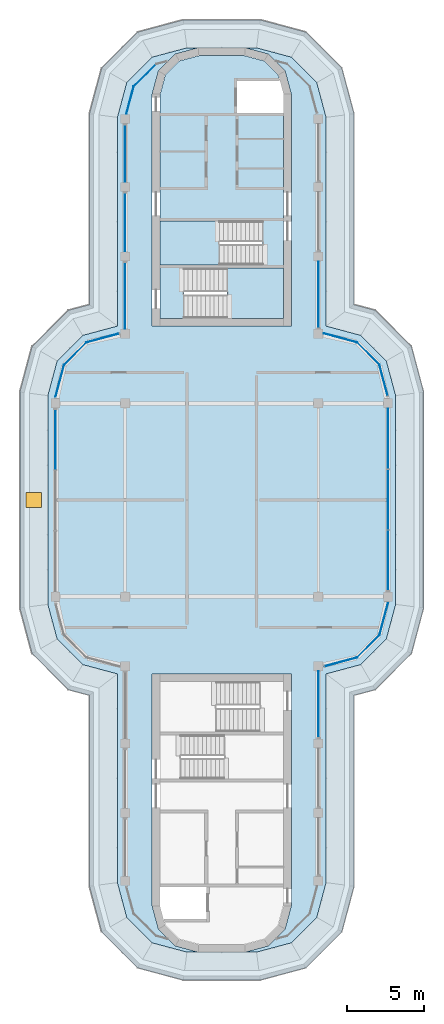
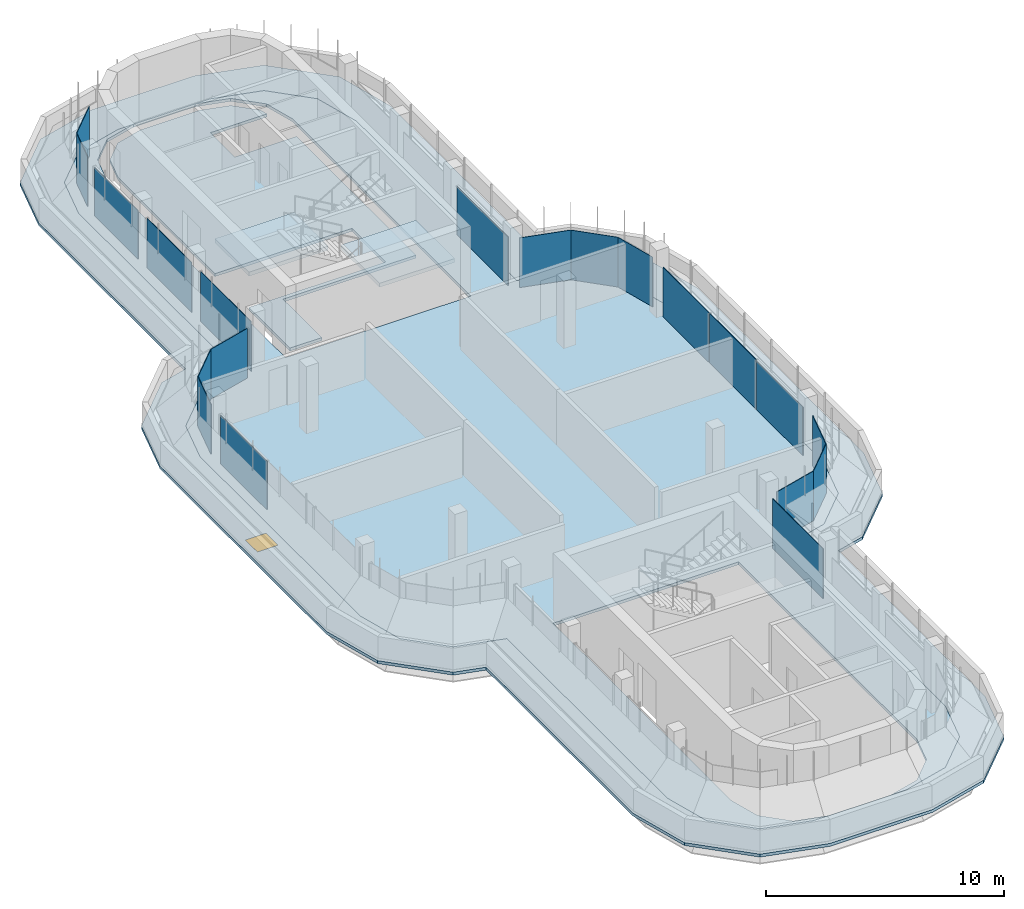
# One storey, part 6 of 13: 20 plates, 5 slabs, 1 window, 1 opening, 18 elements without a shape of their own.
"""IFC4 building model written with IfcOpenShell, lengths in metres."""

from ifc_helpers import new_model, si_unit, direction, frame, origin, origin_2d, place, context, subcontext, project, spatial, polyline, rectangle, outline, extrude, source, transform, mapped, material, layer, layer_set, type_object, element, fill, aggregate, save


model = new_model("IFC4")

# Units and contexts
model_context = context("Model", 3, precision=1e-05, world=origin(), true_north=direction((0.0, 1.0)))
body_context = subcontext(model_context, "Body", "Model", "MODEL_VIEW")
ifc_project = project(units=[si_unit("LENGTHUNIT", "METRE"), si_unit("AREAUNIT", "SQUARE_METRE"), si_unit("VOLUMEUNIT", "CUBIC_METRE"), si_unit("PLANEANGLEUNIT", "RADIAN"), si_unit("MASSUNIT", "GRAM", prefix="KILO")], contexts=[model_context])

# Site, building, storey
site_placement = place(None, origin())
site = spatial("IfcSite", under=ifc_project, at=site_placement, CompositionType="ELEMENT")
building_placement = place(site_placement, origin())
building = spatial("IfcBuilding", under=site, at=building_placement, Name="Zarbagh Exchange Tower", CompositionType="ELEMENT")
storey_placement = place(building_placement, frame((0.0, 0.0, 302.39990234375)))
storey = spatial("IfcBuildingStorey", under=building, at=storey_placement, Name="L74", CompositionType="ELEMENT", Elevation=302.39990234375)

# Slabs
ifc_material_1 = material(Name="Concrete C40/50", Category="concrete")
ifc_layer_1 = layer(ifc_material_1, 0.14990234375)
ifc_layer_set_1 = layer_set([ifc_layer_1], Name="Composite floor slab 150 C40/50")
slab_type_1 = type_object("IfcSlabType", Name="Composite floor slab 150 C40/50", PredefinedType="FLOOR", material=ifc_layer_set_1)
slab_1_placement = place(storey_placement, frame((0.0, 0.0, -0.14990234375)))
element("IfcSlab", 1, at=slab_1_placement, inside=storey, type_object=slab_type_1, Name="S5 composite floor slab", PredefinedType="FLOOR", context=body_context, shape_type="SweptSolid", body=[
    extrude(outline(polyline([(1.5, -29.25), (3.0, -28.84814453125), (4.09814453125, -27.75), (4.5, -26.25), (4.5, -11.25), (-4.5, -11.25), (-4.5, -26.25), (-4.09814453125, -27.75), (-3.0, -28.84814453125), (-1.5, -29.25), (-2.25, -29.25), (-4.5, -28.647216796875), (-6.147216796875, -27.0), (-6.75, -24.75), (-6.75, -11.25), (-9.0, -10.647216796875), (-10.647216796875, -9.0), (-11.25, -6.75), (-11.25, 6.75), (-10.647216796875, 9.0), (-9.0, 10.647216796875), (-6.75, 11.25), (-6.75, 24.75), (-6.147216796875, 27.0), (-4.5, 28.647216796875), (-2.25, 29.25), (-1.5, 29.25), (-3.0, 28.84814453125), (-4.09814453125, 27.75), (-4.5, 26.25), (-4.5, 11.25), (4.5, 11.25), (4.5, 26.25), (4.09814453125, 27.75), (3.0, 28.84814453125), (1.5, 29.25), (2.25, 29.25), (4.5, 28.647216796875), (6.147216796875, 27.0), (6.75, 24.75), (6.75, 11.25), (9.0, 10.647216796875), (10.647216796875, 9.0), (11.25, 6.75), (11.25, -6.75), (10.647216796875, -9.0), (9.0, -10.647216796875), (6.75, -11.25), (6.75, -24.75), (6.147216796875, -27.0), (4.5, -28.647216796875), (2.25, -29.25), (1.5, -29.25)])), origin(), (0.0, 0.0, 1.0), 0.14990234375),
])
ifc_layer_2 = layer(ifc_material_1, 0.14990234375)
ifc_layer_set_2 = layer_set([ifc_layer_2], Name="Core floor slab 150 C40/50")
slab_type_2 = type_object("IfcSlabType", Name="Core floor slab 150 C40/50", PredefinedType="FLOOR", material=ifc_layer_set_2)
slab_2_placement = place(storey_placement, frame((0.0, 0.0, -0.14990234375)))
element("IfcSlab", 2, at=slab_2_placement, inside=storey, type_object=slab_type_2, Name="S17 core N", PredefinedType="FLOOR", context=body_context, shape_type="SweptSolid", body=[
    extrude(outline(polyline([(-4.0, 11.75), (-4.0, 15.199951171875), (2.64990234375, 15.199951171875), (2.64990234375, 18.050048828125), (-4.0, 18.050048828125), (-4.0, 26.18408203125), (-3.64990234375, 27.4912109375), (-2.7412109375, 28.39990234375), (-1.43408203125, 28.75), (1.43408203125, 28.75), (2.7412109375, 28.39990234375), (3.64990234375, 27.4912109375), (3.857666015625, 26.715087890625), (3.754638671875, 27.10009765625), (1.0, 27.10009765625), (1.0, 25.050048828125), (4.0, 25.050048828125), (4.0, 15.0), (-2.449951171875, 15.0), (-2.449951171875, 11.75), (-4.0, 11.75)])), origin(), (0.0, 0.0, 1.0), 0.14990234375),
])

# Slab, opening, window
ifc_layer_3 = layer(ifc_material_1, 0.14990234375)
ifc_layer_set_3 = layer_set([ifc_layer_3], Name="Crown terrace roof slab 150 C40/50")
slab_type_3 = type_object("IfcSlabType", Name="Crown terrace roof slab 150 C40/50", PredefinedType="ROOF", material=ifc_layer_set_3)
slab_3_placement = place(storey_placement, frame((0.0, 0.0, -0.14990234375)))
slab_3 = element("IfcSlab", 3, at=slab_3_placement, inside=storey, type_object=slab_type_3, Name="S11 crown terrace roof slab", PredefinedType="ROOF", context=body_context, shape_type="SweptSolid", body=[
    extrude(outline(polyline([(-2.487060546875, -31.050048828125), (-5.431640625, -30.260986328125), (-7.760986328125, -27.931640625), (-8.550048828125, -24.987060546875), (-8.550048828125, -12.631103515625), (-9.931640625, -12.260986328125), (-12.260986328125, -9.931640625), (-13.050048828125, -6.987060546875), (-13.050048828125, 6.987060546875), (-12.260986328125, 9.931640625), (-9.931640625, 12.260986328125), (-8.550048828125, 12.631103515625), (-8.550048828125, 24.987060546875), (-7.760986328125, 27.931640625), (-5.431640625, 30.260986328125), (-2.487060546875, 31.050048828125), (2.487060546875, 31.050048828125), (5.431640625, 30.260986328125), (7.760986328125, 27.931640625), (8.550048828125, 24.987060546875), (8.550048828125, 12.631103515625), (9.931640625, 12.260986328125), (12.260986328125, 9.931640625), (13.050048828125, 6.987060546875), (13.050048828125, -6.987060546875), (12.260986328125, -9.931640625), (9.931640625, -12.260986328125), (8.550048828125, -12.631103515625), (8.550048828125, -24.987060546875), (7.760986328125, -27.931640625), (5.431640625, -30.260986328125), (2.487060546875, -31.050048828125), (-2.487060546875, -31.050048828125)]), holes=[polyline([(4.5, -28.647216796875), (6.147216796875, -27.0), (6.75, -24.75), (6.75, -11.25), (9.0, -10.647216796875), (10.647216796875, -9.0), (11.25, -6.75), (11.25, 6.75), (10.647216796875, 9.0), (9.0, 10.647216796875), (6.75, 11.25), (6.75, 24.75), (6.147216796875, 27.0), (4.5, 28.647216796875), (2.25, 29.25), (-2.25, 29.25), (-4.5, 28.647216796875), (-6.147216796875, 27.0), (-6.75, 24.75), (-6.75, 11.25), (-9.0, 10.647216796875), (-10.647216796875, 9.0), (-11.25, 6.75), (-11.25, -6.75), (-10.647216796875, -9.0), (-9.0, -10.647216796875), (-6.75, -11.25), (-6.75, -24.75), (-6.147216796875, -27.0), (-4.5, -28.647216796875), (-2.25, -29.25), (2.25, -29.25), (4.5, -28.647216796875)])]), origin(), (0.0, 0.0, 1.0), 0.14990234375),
])
opening_placement = place(slab_3_placement, frame((-12.14990234375, 0.0, 0.0)))
opening = element("IfcOpeningElement", 4, at=opening_placement, cuts=slab_3, Name="Opening RH01", PredefinedType="OPENING", context=body_context, shape_type="SweptSolid", body=[
    extrude(rectangle(XDim=1.0, YDim=1.0, at=origin_2d()), frame((0.0, 0.0, -0.010009765625)), (0.0, 0.0, 1.0), 0.169921875),
])
ifc_material_2 = material(Name="Aluminium", Category="aluminium")
window_type = type_object("IfcWindowType", Name="Roof access hatch, insulated aluminium", PartitioningType="SINGLE_PANEL", PredefinedType="SKYLIGHT", material=ifc_material_2)
window_placement = place(opening_placement, frame((0.0, 0.0, 0.099853515625)))
window = element("IfcWindow", 5, at=window_placement, inside=storey, type_object=window_type, Name="RH01 roof access hatch", OverallHeight=1.0, OverallWidth=1.0, PartitioningType="SINGLE_PANEL", PredefinedType="SKYLIGHT", context=body_context, shape_type="SweptSolid", body=[
    extrude(rectangle(XDim=1.0, YDim=1.0, at=origin_2d()), origin(), (0.0, 0.0, 1.0), 0.050048828125),
])
fill(opening, window)

# Stair, slab
stair_type = type_object("IfcStairType", Name="Exit stair two-flight half-turn", PredefinedType="HALF_TURN_STAIR", material=ifc_material_1)
stair_1_placement = place(storey_placement, origin())
stair_1 = element("IfcStair", 6, at=stair_1_placement, inside=storey, type_object=stair_type, Name="exit stair ST1", PredefinedType="HALF_TURN_STAIR")
ifc_layer_4 = layer(ifc_material_1, 0.199951171875)
ifc_layer_set_4 = layer_set([ifc_layer_4], Name="Stair landing 200 mm")
slab_type_4 = type_object("IfcSlabType", Name="Stair landing 200 mm", PredefinedType="LANDING", material=ifc_layer_set_4)
slab_4_placement = place(storey_placement, frame((0.0, 0.0, 1.60009765625)))
slab_4 = element("IfcSlab", 7, at=slab_4_placement, type_object=slab_type_4, Name="ST1 landing 1", PredefinedType="LANDING", context=body_context, shape_type="SweptSolid", body=[
    extrude(outline(polyline([(-0.14990234375, 18.050048828125), (-4.0, 18.050048828125), (-4.0, 15.199951171875), (-0.14990234375, 15.199951171875), (-0.14990234375, 18.050048828125)])), origin(), (0.0, 0.0, 1.0), 0.199951171875),
])
aggregate(stair_1, [slab_4])

stair_2_placement = place(storey_placement, origin())
stair_2 = element("IfcStair", 8, at=stair_2_placement, inside=storey, type_object=stair_type, Name="exit stair ST2", PredefinedType="HALF_TURN_STAIR")
slab_5_placement = place(storey_placement, frame((0.0, 0.0, 1.60009765625)))
slab_5 = element("IfcSlab", 9, at=slab_5_placement, type_object=slab_type_4, Name="ST2 landing 1", PredefinedType="LANDING", context=body_context, shape_type="SweptSolid", body=[
    extrude(outline(polyline([(0.35009765625, 11.75), (4.0, 11.75), (4.0, 15.0), (0.35009765625, 15.0), (0.35009765625, 11.75)])), origin(), (0.0, 0.0, 1.0), 0.199951171875),
])
aggregate(stair_2, [slab_5])

# Curtain wall, plate
ifc_material_3 = material(Name="Anodised aluminium frame and glazing", Category="aluminium")
curtain_wall_type = type_object("IfcCurtainWallType", Name="CWF Crown tier glazing", PredefinedType="NOTDEFINED", material=ifc_material_3)
curtain_wall_1_placement = place(storey_placement, origin())
curtain_wall_1 = element("IfcCurtainWall", 10, at=curtain_wall_1_placement, inside=storey, type_object=curtain_wall_type, Name="CWF06 curtain wall", PredefinedType="NOTDEFINED")
ifc_material_4 = material(Name="Low-e double glazed unit, 6+12+6 mm")
ifc_layer_5 = layer(ifc_material_4, 0.028076171875)
ifc_layer_set_5 = layer_set([ifc_layer_5], Name="PAF Glazing panel, Low-e double glazed unit, 6+12+6 mm")
plate_type = type_object("IfcPlateType", Name="PAF Glazing panel, Low-e double glazed unit, 6+12+6 mm", PredefinedType="CURTAIN_PANEL", material=ifc_layer_set_5)
shared_shape_1 = source(origin(), body_context, "Body", "SweptSolid", [
    extrude(outline(polyline([(0.0, -0.013916015625), (2.061279296875, -0.013916015625), (2.061279296875, 0.013916015625), (0.0, 0.013916015625), (0.0, -0.013916015625)])), origin(), (0.0, 0.0, 1.0), 2.550048828125),
])
placement = place(storey_placement, origin())
plate_1 = element("IfcPlate", 11, at=placement, type_object=plate_type, Name="CWF06 glazing panel 1.1", PredefinedType="CURTAIN_PANEL", context=body_context, shape_type="MappedRepresentation", body=[
    mapped(shared_shape_1, transform((8.7412109375, -10.19873046875, 0.0), x_axis=(0.707106781187, 0.707106781187, 0.0), y_axis=(-0.707106781187, 0.707106781187, 0.0), z_axis=(0.0, 0.0, 1.0))),
])
aggregate(curtain_wall_1, [plate_1])

curtain_wall_2_placement = place(storey_placement, origin())
curtain_wall_2 = element("IfcCurtainWall", 12, at=curtain_wall_2_placement, inside=storey, type_object=curtain_wall_type, Name="CWF18 curtain wall", PredefinedType="NOTDEFINED")
plate_2 = element("IfcPlate", 13, at=placement, type_object=plate_type, Name="CWF18 glazing panel 1.1", PredefinedType="CURTAIN_PANEL", context=body_context, shape_type="MappedRepresentation", body=[
    mapped(shared_shape_1, transform((10.19873046875, 8.7412109375, 0.0), x_axis=(-0.707106781187, 0.707106781187, 0.0), y_axis=(-0.707106781187, -0.707106781187, 0.0), z_axis=(0.0, 0.0, 1.0))),
])
aggregate(curtain_wall_2, [plate_2])

curtain_wall_3_placement = place(storey_placement, origin())
curtain_wall_3 = element("IfcCurtainWall", 14, at=curtain_wall_3_placement, inside=storey, type_object=curtain_wall_type, Name="CWF25 curtain wall", PredefinedType="NOTDEFINED")
plate_3 = element("IfcPlate", 15, at=placement, type_object=plate_type, Name="CWF25 glazing panel 1.1", PredefinedType="CURTAIN_PANEL", context=body_context, shape_type="MappedRepresentation", body=[
    mapped(shared_shape_1, transform((-4.2412109375, 28.19873046875, 0.0), x_axis=(-0.707106781187, -0.707106781187, 0.0), y_axis=(0.707106781187, -0.707106781187, 0.0), z_axis=(0.0, 0.0, 1.0))),
])
aggregate(curtain_wall_3, [plate_3])

curtain_wall_4_placement = place(storey_placement, origin())
curtain_wall_4 = element("IfcCurtainWall", 16, at=curtain_wall_4_placement, inside=storey, type_object=curtain_wall_type, Name="CWF29 curtain wall", PredefinedType="NOTDEFINED")
plate_4 = element("IfcPlate", 17, at=placement, type_object=plate_type, Name="CWF29 glazing panel 1.1", PredefinedType="CURTAIN_PANEL", context=body_context, shape_type="MappedRepresentation", body=[
    mapped(shared_shape_1, transform((-8.7412109375, 10.19873046875, 0.0), x_axis=(-0.707106781187, -0.707106781187, 0.0), y_axis=(0.707106781187, -0.707106781187, 0.0), z_axis=(0.0, 0.0, 1.0))),
])
aggregate(curtain_wall_4, [plate_4])

curtain_wall_5_placement = place(storey_placement, origin())
curtain_wall_5 = element("IfcCurtainWall", 18, at=curtain_wall_5_placement, inside=storey, type_object=curtain_wall_type, Name="CWF26 curtain wall", PredefinedType="NOTDEFINED")
shared_shape_2 = source(origin(), body_context, "Body", "SweptSolid", [
    extrude(outline(polyline([(0.0, -0.013916015625), (1.81298828125, -0.013916015625), (1.81298828125, 0.013916015625), (0.0, 0.013916015625), (0.0, -0.013916015625)])), origin(), (0.0, 0.0, 1.0), 2.550048828125),
])
plate_5 = element("IfcPlate", 19, at=placement, type_object=plate_type, Name="CWF26 glazing panel 1.1", PredefinedType="CURTAIN_PANEL", context=body_context, shape_type="MappedRepresentation", body=[
    mapped(shared_shape_2, transform((-5.69873046875, 26.7412109375, 0.0), x_axis=(-0.258824779902, -0.965924289636, 0.0), y_axis=(0.965924289636, -0.258824779902, 0.0), z_axis=(0.0, 0.0, 1.0))),
])
aggregate(curtain_wall_5, [plate_5])

# Curtain wall, plates
curtain_wall_6_placement = place(storey_placement, origin())
curtain_wall_6 = element("IfcCurtainWall", 20, at=curtain_wall_6_placement, inside=storey, type_object=curtain_wall_type, Name="CWF27 curtain wall", PredefinedType="NOTDEFINED")
shared_shape_3 = source(origin(), body_context, "Body", "SweptSolid", [
    extrude(outline(polyline([(0.0, -0.013916015625), (3.659912109375, -0.013916015625), (3.659912109375, 0.013916015625), (0.0, 0.013916015625), (0.0, -0.013916015625)])), origin(), (0.0, 0.0, 1.0), 2.489990234375),
])
plate_6 = element("IfcPlate", 21, at=placement, type_object=plate_type, Name="CWF27 glazing panel 1.1", PredefinedType="CURTAIN_PANEL", context=body_context, shape_type="MappedRepresentation", body=[
    mapped(shared_shape_3, transform((-6.25, 24.25, 0.0), x_axis=(0.0, -1.0, 0.0), y_axis=(1.0, 0.0, 0.0), z_axis=(0.0, 0.0, 1.0))),
])
shared_shape_4 = source(origin(), body_context, "Body", "SweptSolid", [
    extrude(outline(polyline([(0.0, -0.013916015625), (3.760009765625, -0.013916015625), (3.760009765625, 0.013916015625), (0.0, 0.013916015625), (0.0, -0.013916015625)])), origin(), (0.0, 0.0, 1.0), 2.550048828125),
])
plate_7 = element("IfcPlate", 22, at=placement, type_object=plate_type, Name="CWF27 glazing panel 2.1", PredefinedType="CURTAIN_PANEL", context=body_context, shape_type="MappedRepresentation", body=[
    mapped(shared_shape_4, transform((-6.25, 19.849853515625, 0.0), x_axis=(0.0, -1.0, 0.0), y_axis=(1.0, 0.0, 0.0), z_axis=(0.0, 0.0, 1.0))),
])

# Curtain wall, plate
curtain_wall_7_placement = place(storey_placement, origin())
curtain_wall_7 = element("IfcCurtainWall", 23, at=curtain_wall_7_placement, inside=storey, type_object=curtain_wall_type, Name="CWF04 curtain wall", PredefinedType="NOTDEFINED")
shared_shape_5 = source(origin(), body_context, "Body", "SweptSolid", [
    extrude(outline(polyline([(0.0, -0.013916015625), (4.260009765625, -0.013916015625), (4.260009765625, 0.013916015625), (0.0, 0.013916015625), (0.0, -0.013916015625)])), origin(), (0.0, 0.0, 1.0), 2.550048828125),
])
plate_8 = element("IfcPlate", 24, at=placement, type_object=plate_type, Name="CWF04 glazing panel 3.1", PredefinedType="CURTAIN_PANEL", context=body_context, shape_type="MappedRepresentation", body=[
    mapped(shared_shape_5, transform((6.25, -15.349853515625, 0.0), x_axis=(0.0, 1.0, 0.0), y_axis=(-1.0, 0.0, 0.0), z_axis=(0.0, 0.0, 1.0))),
])
aggregate(curtain_wall_7, [plate_8])

# Plate
plate_9 = element("IfcPlate", 25, at=placement, type_object=plate_type, Name="CWF27 glazing panel 3.1", PredefinedType="CURTAIN_PANEL", context=body_context, shape_type="MappedRepresentation", body=[
    mapped(shared_shape_5, transform((-6.25, 15.349853515625, 0.0), x_axis=(0.0, -1.0, 0.0), y_axis=(1.0, 0.0, 0.0), z_axis=(0.0, 0.0, 1.0))),
])

aggregate(curtain_wall_6, [plate_6, plate_7, plate_9])

# Curtain wall, plate
curtain_wall_8_placement = place(storey_placement, origin())
curtain_wall_8 = element("IfcCurtainWall", 26, at=curtain_wall_8_placement, inside=storey, type_object=curtain_wall_type, Name="CWF05 curtain wall", PredefinedType="NOTDEFINED")
shared_shape_6 = source(origin(), body_context, "Body", "SweptSolid", [
    extrude(outline(polyline([(0.0, -0.013916015625), (2.1669921875, -0.013916015625), (2.1669921875, 0.013916015625), (0.0, 0.013916015625), (0.0, -0.013916015625)])), origin(), (0.0, 0.0, 1.0), 2.550048828125),
])
plate_10 = element("IfcPlate", 27, at=placement, type_object=plate_type, Name="CWF05 glazing panel 1.1", PredefinedType="CURTAIN_PANEL", context=body_context, shape_type="MappedRepresentation", body=[
    mapped(shared_shape_6, transform((6.64794921875, -10.759765625, 0.0), x_axis=(0.965924289636, 0.258824779902, 0.0), y_axis=(-0.258824779902, 0.965924289636, 0.0), z_axis=(0.0, 0.0, 1.0))),
])
aggregate(curtain_wall_8, [plate_10])

curtain_wall_9_placement = place(storey_placement, origin())
curtain_wall_9 = element("IfcCurtainWall", 28, at=curtain_wall_9_placement, inside=storey, type_object=curtain_wall_type, Name="CWF28 curtain wall", PredefinedType="NOTDEFINED")
plate_11 = element("IfcPlate", 29, at=placement, type_object=plate_type, Name="CWF28 glazing panel 1.1", PredefinedType="CURTAIN_PANEL", context=body_context, shape_type="MappedRepresentation", body=[
    mapped(shared_shape_6, transform((-6.64794921875, 10.759765625, 0.0), x_axis=(-0.965924289636, -0.258824779902, 0.0), y_axis=(0.258824779902, -0.965924289636, 0.0), z_axis=(0.0, 0.0, 1.0))),
])
aggregate(curtain_wall_9, [plate_11])

curtain_wall_10_placement = place(storey_placement, origin())
curtain_wall_10 = element("IfcCurtainWall", 30, at=curtain_wall_10_placement, inside=storey, type_object=curtain_wall_type, Name="CWF19 curtain wall", PredefinedType="NOTDEFINED")
shared_shape_7 = source(origin(), body_context, "Body", "SweptSolid", [
    extrude(outline(polyline([(0.0, -0.013916015625), (2.22705078125, -0.013916015625), (2.22705078125, 0.013916015625), (0.0, 0.013916015625), (0.0, -0.013916015625)])), origin(), (0.0, 0.0, 1.0), 2.550048828125),
])
plate_12 = element("IfcPlate", 31, at=placement, type_object=plate_type, Name="CWF19 glazing panel 1.1", PredefinedType="CURTAIN_PANEL", context=body_context, shape_type="MappedRepresentation", body=[
    mapped(shared_shape_7, transform((8.7412109375, 10.19873046875, 0.0), x_axis=(-0.965924289636, 0.258824779902, 0.0), y_axis=(-0.258824779902, -0.965924289636, 0.0), z_axis=(0.0, 0.0, 1.0))),
])
aggregate(curtain_wall_10, [plate_12])

curtain_wall_11_placement = place(storey_placement, origin())
curtain_wall_11 = element("IfcCurtainWall", 32, at=curtain_wall_11_placement, inside=storey, type_object=curtain_wall_type, Name="CWF20 curtain wall", PredefinedType="NOTDEFINED")
shared_shape_8 = source(origin(), body_context, "Body", "SweptSolid", [
    extrude(outline(polyline([(0.0, -0.013916015625), (4.260009765625, -0.013916015625), (4.260009765625, 0.013916015625), (0.0, 0.013916015625), (0.0, -0.013916015625)])), origin(), (0.0, 0.0, 1.0), 2.489990234375),
])
plate_13 = element("IfcPlate", 33, at=placement, type_object=plate_type, Name="CWF20 glazing panel 1.1", PredefinedType="CURTAIN_PANEL", context=body_context, shape_type="MappedRepresentation", body=[
    mapped(shared_shape_8, transform((6.25, 11.150146484375, 0.0), x_axis=(0.0, 1.0, 0.0), y_axis=(-1.0, 0.0, 0.0), z_axis=(0.0, 0.0, 1.0))),
])
aggregate(curtain_wall_11, [plate_13])

curtain_wall_12_placement = place(storey_placement, origin())
curtain_wall_12 = element("IfcCurtainWall", 34, at=curtain_wall_12_placement, inside=storey, type_object=curtain_wall_type, Name="CWF07 curtain wall", PredefinedType="NOTDEFINED")
shared_shape_9 = source(origin(), body_context, "Body", "SweptSolid", [
    extrude(outline(polyline([(0.0, -0.013916015625), (2.129638671875, -0.013916015625), (2.129638671875, 0.013916015625), (0.0, 0.013916015625), (0.0, -0.013916015625)])), origin(), (0.0, 0.0, 1.0), 2.550048828125),
])
plate_14 = element("IfcPlate", 35, at=placement, type_object=plate_type, Name="CWF07 glazing panel 1.1", PredefinedType="CURTAIN_PANEL", context=body_context, shape_type="MappedRepresentation", body=[
    mapped(shared_shape_9, transform((10.19873046875, -8.7412109375, 0.0), x_axis=(0.258824779902, 0.965924289636, 0.0), y_axis=(-0.965924289636, 0.258824779902, 0.0), z_axis=(0.0, 0.0, 1.0))),
])
aggregate(curtain_wall_12, [plate_14])

curtain_wall_13_placement = place(storey_placement, origin())
curtain_wall_13 = element("IfcCurtainWall", 36, at=curtain_wall_13_placement, inside=storey, type_object=curtain_wall_type, Name="CWF30 curtain wall", PredefinedType="NOTDEFINED")
plate_15 = element("IfcPlate", 37, at=placement, type_object=plate_type, Name="CWF30 glazing panel 1.1", PredefinedType="CURTAIN_PANEL", context=body_context, shape_type="MappedRepresentation", body=[
    mapped(shared_shape_9, transform((-10.19873046875, 8.7412109375, 0.0), x_axis=(-0.258824779902, -0.965924289636, 0.0), y_axis=(0.965924289636, -0.258824779902, 0.0), z_axis=(0.0, 0.0, 1.0))),
])
aggregate(curtain_wall_13, [plate_15])

curtain_wall_14_placement = place(storey_placement, origin())
curtain_wall_14 = element("IfcCurtainWall", 38, at=curtain_wall_14_placement, inside=storey, type_object=curtain_wall_type, Name="CWF17 curtain wall", PredefinedType="NOTDEFINED")
shared_shape_10 = source(origin(), body_context, "Body", "SweptSolid", [
    extrude(outline(polyline([(0.0, -0.013916015625), (2.069580078125, -0.013916015625), (2.069580078125, 0.013916015625), (0.0, 0.013916015625), (0.0, -0.013916015625)])), origin(), (0.0, 0.0, 1.0), 2.550048828125),
])
plate_16 = element("IfcPlate", 39, at=placement, type_object=plate_type, Name="CWF17 glazing panel 1.1", PredefinedType="CURTAIN_PANEL", context=body_context, shape_type="MappedRepresentation", body=[
    mapped(shared_shape_10, transform((10.734375, 6.7421875, 0.0), x_axis=(-0.258824779902, 0.965924289636, 0.0), y_axis=(-0.965924289636, -0.258824779902, 0.0), z_axis=(0.0, 0.0, 1.0))),
])
aggregate(curtain_wall_14, [plate_16])

curtain_wall_15_placement = place(storey_placement, origin())
curtain_wall_15 = element("IfcCurtainWall", 40, at=curtain_wall_15_placement, inside=storey, type_object=curtain_wall_type, Name="CWF47 curtain wall", PredefinedType="NOTDEFINED")
shared_shape_11 = source(origin(), body_context, "Body", "SweptSolid", [
    extrude(outline(polyline([(0.0, -0.013916015625), (3.8798828125, -0.013916015625), (3.8798828125, 0.013916015625), (0.0, 0.013916015625), (0.0, -0.013916015625)])), origin(), (0.0, 0.0, 1.0), 2.489990234375),
])
plate_17 = element("IfcPlate", 41, at=placement, type_object=plate_type, Name="CWF47 glazing panel 1.1", PredefinedType="CURTAIN_PANEL", context=body_context, shape_type="MappedRepresentation", body=[
    mapped(shared_shape_11, transform((10.75, -5.849853515625, 0.0), x_axis=(0.0, 1.0, 0.0), y_axis=(-1.0, 0.0, 0.0), z_axis=(0.0, 0.0, 1.0))),
])

curtain_wall_16_placement = place(storey_placement, origin())
curtain_wall_16 = element("IfcCurtainWall", 42, at=curtain_wall_16_placement, inside=storey, type_object=curtain_wall_type, Name="CWF48 curtain wall", PredefinedType="NOTDEFINED")
plate_18 = element("IfcPlate", 43, at=placement, type_object=plate_type, Name="CWF48 glazing panel 1.1", PredefinedType="CURTAIN_PANEL", context=body_context, shape_type="MappedRepresentation", body=[
    mapped(shared_shape_11, transform((-10.75, 5.849853515625, 0.0), x_axis=(0.0, -1.0, 0.0), y_axis=(1.0, 0.0, 0.0), z_axis=(0.0, 0.0, 1.0))),
])
aggregate(curtain_wall_16, [plate_18])

# Plate
shared_shape_12 = source(origin(), body_context, "Body", "SweptSolid", [
    extrude(outline(polyline([(0.0, -0.013916015625), (3.8798828125, -0.013916015625), (3.8798828125, 0.013916015625), (0.0, 0.013916015625), (0.0, -0.013916015625)])), origin(), (0.0, 0.0, 1.0), 2.550048828125),
])
plate_19 = element("IfcPlate", 44, at=placement, type_object=plate_type, Name="CWF47 glazing panel 1.2", PredefinedType="CURTAIN_PANEL", context=body_context, shape_type="MappedRepresentation", body=[
    mapped(shared_shape_12, transform((10.75, -1.909912109375, 0.0), x_axis=(0.0, 1.0, 0.0), y_axis=(-1.0, 0.0, 0.0), z_axis=(0.0, 0.0, 1.0))),
])

plate_20 = element("IfcPlate", 45, at=placement, type_object=plate_type, Name="CWF47 glazing panel 1.3", PredefinedType="CURTAIN_PANEL", context=body_context, shape_type="MappedRepresentation", body=[
    mapped(shared_shape_12, transform((10.75, 2.030029296875, 0.0), x_axis=(0.0, 1.0, 0.0), y_axis=(-1.0, 0.0, 0.0), z_axis=(0.0, 0.0, 1.0))),
])

aggregate(curtain_wall_15, [plate_17, plate_19, plate_20])

save(model, "model.ifc")
